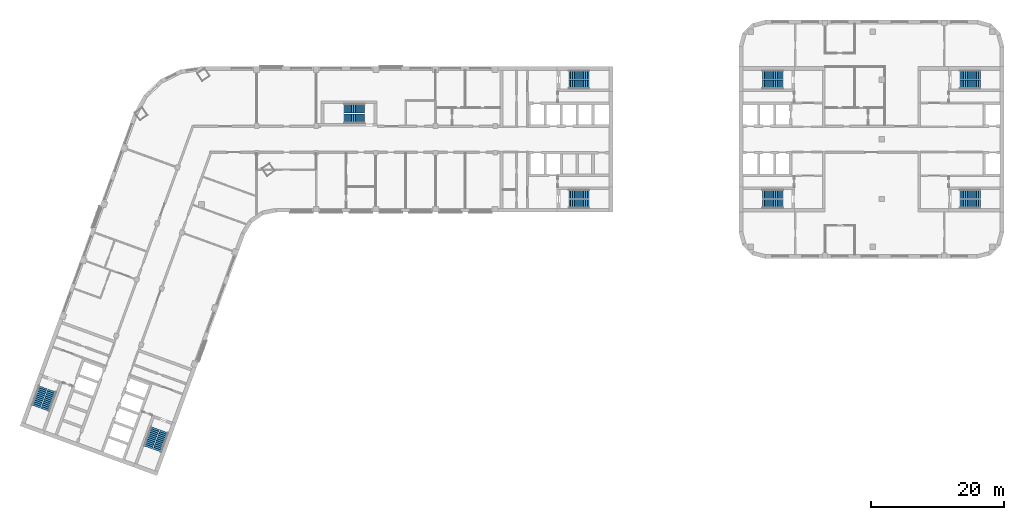
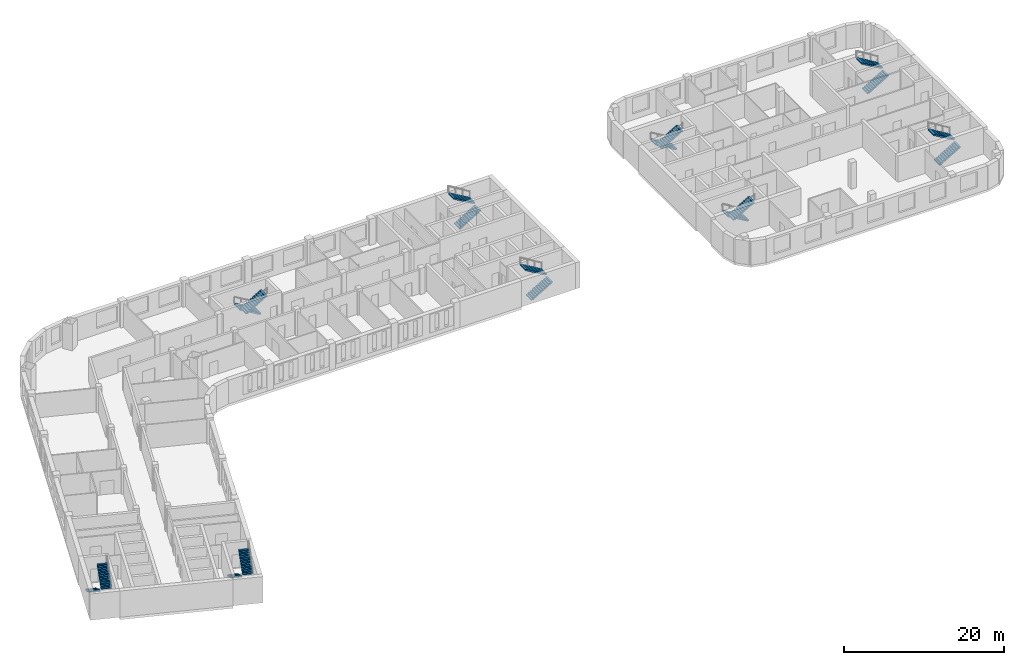
# One storey, part 10 of 12: 18 stair flights, 9 elements without a shape of their own.
"""IFC4 building model written with IfcOpenShell, lengths in metres."""

from ifc_helpers import new_model, si_unit, direction, frame, origin, place, context, subcontext, project, spatial, polyline, outline, extrude, material, type_object, element, aggregate, save


model = new_model("IFC4")

# Units and contexts
model_context = context("Model", 3, precision=1e-05, world=origin(), true_north=direction((0.0, 1.0)))
body_context = subcontext(model_context, "Body", "Model", "MODEL_VIEW")
ifc_project = project(units=[si_unit("LENGTHUNIT", "METRE"), si_unit("AREAUNIT", "SQUARE_METRE"), si_unit("VOLUMEUNIT", "CUBIC_METRE"), si_unit("PLANEANGLEUNIT", "RADIAN"), si_unit("MASSUNIT", "GRAM", prefix="KILO")], contexts=[model_context])

# Site, building, storey
site_placement = place(None, origin())
site = spatial("IfcSite", under=ifc_project, at=site_placement, CompositionType="ELEMENT")
building_placement = place(site_placement, origin())
building = spatial("IfcBuilding", under=site, at=building_placement, Name="Skarvind Civic Tower", CompositionType="ELEMENT")
storey_placement = place(building_placement, frame((0.0, 0.0, 47.5)))
storey = spatial("IfcBuildingStorey", under=building, at=storey_placement, Name="L10", CompositionType="ELEMENT", Elevation=47.5)

# Stair, stair flights
ifc_material = material(Name="Concrete C40/50", Category="concrete")
stair_type_1 = type_object("IfcStairType", Name="Exit stair 1450, half-turn, concrete", PredefinedType="HALF_TURN_STAIR", material=ifc_material)
stair_1_placement = place(storey_placement, origin())
stair_1 = element("IfcStair", 1, at=stair_1_placement, inside=storey, type_object=stair_type_1, Name="Exit stair CM", PredefinedType="HALF_TURN_STAIR")
stair_flight_type_1 = type_object("IfcStairFlightType", Name="Stair flight 1450, concrete", PredefinedType="STRAIGHT", material=ifc_material)
stair_flight_1_placement = place(storey_placement, frame((70.550048828125, 132.675048828125, 0.0), z_axis=(0.0, 0.0, 1.0), x_axis=(-1.0, 0.0, 0.0)))
stair_flight_1 = element("IfcStairFlight", 2, at=stair_flight_1_placement, type_object=stair_flight_type_1, Name="ST-CM flight 1", NumberOfRisers=12, NumberOfTreads=11, PredefinedType="STRAIGHT", RiserHeight=0.166666667, TreadLength=0.28, context=body_context, shape_type="SweptSolid", body=[
    extrude(outline(polyline([(0.0, 0.0), (0.0, 0.166748046875), (0.280029296875, 0.166748046875), (0.280029296875, 0.333251953125), (0.56005859375, 0.333251953125), (0.56005859375, 0.5), (0.840087890625, 0.5), (0.840087890625, 0.666748046875), (1.1201171875, 0.666748046875), (1.1201171875, 0.833251953125), (1.39990234375, 0.833251953125), (1.39990234375, 1.0), (1.679931640625, 1.0), (1.679931640625, 1.166748046875), (1.9599609375, 1.166748046875), (1.9599609375, 1.333251953125), (2.239990234375, 1.333251953125), (2.239990234375, 1.5), (2.52001953125, 1.5), (2.52001953125, 1.666748046875), (2.800048828125, 1.666748046875), (2.800048828125, 1.833251953125), (3.080078125, 1.833251953125), (3.080078125, 2.0), (3.080078125, 1.658935546875), (0.29296875, 0.0), (0.0, 0.0)])), frame((0.0, 0.72509765625, 0.0), z_axis=(0.0, -1.0, 0.0), x_axis=(1.0, 0.0, 0.0)), (0.0, 0.0, 1.0), 1.449951171875),
])
stair_flight_2_placement = place(storey_placement, frame((67.469970703125, 131.125, 2.0), z_axis=(0.0, 0.0, 1.0), x_axis=(1.0, 0.0, 0.0)))
stair_flight_2 = element("IfcStairFlight", 3, at=stair_flight_2_placement, type_object=stair_flight_type_1, Name="ST-CM flight 2", NumberOfRisers=12, NumberOfTreads=11, PredefinedType="STRAIGHT", RiserHeight=0.166666667, TreadLength=0.28, context=body_context, shape_type="SweptSolid", body=[
    extrude(outline(polyline([(0.0, 0.0), (0.0, 0.166748046875), (0.280029296875, 0.166748046875), (0.280029296875, 0.333251953125), (0.56005859375, 0.333251953125), (0.56005859375, 0.5), (0.840087890625, 0.5), (0.840087890625, 0.666748046875), (1.1201171875, 0.666748046875), (1.1201171875, 0.833251953125), (1.39990234375, 0.833251953125), (1.39990234375, 1.0), (1.679931640625, 1.0), (1.679931640625, 1.166748046875), (1.9599609375, 1.166748046875), (1.9599609375, 1.333251953125), (2.239990234375, 1.333251953125), (2.239990234375, 1.5), (2.52001953125, 1.5), (2.52001953125, 1.666748046875), (2.800048828125, 1.666748046875), (2.800048828125, 1.833251953125), (3.080078125, 1.833251953125), (3.080078125, 2.0), (3.080078125, 1.658935546875), (0.29296875, 0.0), (0.0, 0.0)])), frame((0.0, 0.72509765625, 0.0), z_axis=(0.0, -1.0, 0.0), x_axis=(1.0, 0.0, 0.0)), (0.0, 0.0, 1.0), 1.449951171875),
])
aggregate(stair_1, [stair_flight_1, stair_flight_2])

stair_type_2 = type_object("IfcStairType", Name="Exit stair, half-turn, concrete", PredefinedType="HALF_TURN_STAIR", material=ifc_material)
stair_2_placement = place(storey_placement, origin())
stair_2 = element("IfcStair", 4, at=stair_2_placement, inside=storey, type_object=stair_type_2, Name="Exit stair C1S", PredefinedType="HALF_TURN_STAIR")
stair_flight_type_2 = type_object("IfcStairFlightType", Name="Stair flight, concrete", PredefinedType="STRAIGHT", material=ifc_material)
stair_flight_3_placement = place(storey_placement, frame((101.35009765625, 136.27490234375, 0.0), z_axis=(0.0, 0.0, 1.0), x_axis=(1.0, 0.0, 0.0)))
stair_flight_3 = element("IfcStairFlight", 5, at=stair_flight_3_placement, type_object=stair_flight_type_2, Name="ST-C1S flight 1", NumberOfRisers=12, NumberOfTreads=11, PredefinedType="STRAIGHT", RiserHeight=0.166666667, TreadLength=0.28, context=body_context, shape_type="SweptSolid", body=[
    extrude(outline(polyline([(0.0, 0.0), (0.0, 0.166748046875), (0.280029296875, 0.166748046875), (0.280029296875, 0.333251953125), (0.56005859375, 0.333251953125), (0.56005859375, 0.5), (0.840087890625, 0.5), (0.840087890625, 0.666748046875), (1.1201171875, 0.666748046875), (1.1201171875, 0.833251953125), (1.39990234375, 0.833251953125), (1.39990234375, 1.0), (1.679931640625, 1.0), (1.679931640625, 1.166748046875), (1.9599609375, 1.166748046875), (1.9599609375, 1.333251953125), (2.239990234375, 1.333251953125), (2.239990234375, 1.5), (2.52001953125, 1.5), (2.52001953125, 1.666748046875), (2.800048828125, 1.666748046875), (2.800048828125, 1.833251953125), (3.080078125, 1.833251953125), (3.080078125, 2.0), (3.080078125, 1.658935546875), (0.29296875, 0.0), (0.0, 0.0)])), frame((0.0, 0.675048828125, 0.0), z_axis=(0.0, -1.0, 0.0), x_axis=(1.0, 0.0, 0.0)), (0.0, 0.0, 1.0), 1.35009765625),
])
stair_flight_4_placement = place(storey_placement, frame((104.429931640625, 137.72509765625, 2.0), z_axis=(0.0, 0.0, 1.0), x_axis=(-1.0, 0.0, 0.0)))
stair_flight_4 = element("IfcStairFlight", 6, at=stair_flight_4_placement, type_object=stair_flight_type_2, Name="ST-C1S flight 2", NumberOfRisers=12, NumberOfTreads=11, PredefinedType="STRAIGHT", RiserHeight=0.166666667, TreadLength=0.28, context=body_context, shape_type="SweptSolid", body=[
    extrude(outline(polyline([(0.0, 0.0), (0.0, 0.166748046875), (0.280029296875, 0.166748046875), (0.280029296875, 0.333251953125), (0.56005859375, 0.333251953125), (0.56005859375, 0.5), (0.840087890625, 0.5), (0.840087890625, 0.666748046875), (1.1201171875, 0.666748046875), (1.1201171875, 0.833251953125), (1.39990234375, 0.833251953125), (1.39990234375, 1.0), (1.679931640625, 1.0), (1.679931640625, 1.166748046875), (1.9599609375, 1.166748046875), (1.9599609375, 1.333251953125), (2.239990234375, 1.333251953125), (2.239990234375, 1.5), (2.52001953125, 1.5), (2.52001953125, 1.666748046875), (2.800048828125, 1.666748046875), (2.800048828125, 1.833251953125), (3.080078125, 1.833251953125), (3.080078125, 2.0), (3.080078125, 1.658935546875), (0.29296875, 0.0), (0.0, 0.0)])), frame((0.0, 0.675048828125, 0.0), z_axis=(0.0, -1.0, 0.0), x_axis=(1.0, 0.0, 0.0)), (0.0, 0.0, 1.0), 1.35009765625),
])
aggregate(stair_2, [stair_flight_3, stair_flight_4])

stair_3_placement = place(storey_placement, origin())
stair_3 = element("IfcStair", 7, at=stair_3_placement, inside=storey, type_object=stair_type_2, Name="Exit stair C1N", PredefinedType="HALF_TURN_STAIR")
stair_flight_5_placement = place(storey_placement, frame((101.35009765625, 118.27490234375, 0.0), z_axis=(0.0, 0.0, 1.0), x_axis=(1.0, 0.0, 0.0)))
stair_flight_5 = element("IfcStairFlight", 8, at=stair_flight_5_placement, type_object=stair_flight_type_2, Name="ST-C1N flight 1", NumberOfRisers=12, NumberOfTreads=11, PredefinedType="STRAIGHT", RiserHeight=0.166666667, TreadLength=0.28, context=body_context, shape_type="SweptSolid", body=[
    extrude(outline(polyline([(0.0, 0.0), (0.0, 0.166748046875), (0.280029296875, 0.166748046875), (0.280029296875, 0.333251953125), (0.56005859375, 0.333251953125), (0.56005859375, 0.5), (0.840087890625, 0.5), (0.840087890625, 0.666748046875), (1.1201171875, 0.666748046875), (1.1201171875, 0.833251953125), (1.39990234375, 0.833251953125), (1.39990234375, 1.0), (1.679931640625, 1.0), (1.679931640625, 1.166748046875), (1.9599609375, 1.166748046875), (1.9599609375, 1.333251953125), (2.239990234375, 1.333251953125), (2.239990234375, 1.5), (2.52001953125, 1.5), (2.52001953125, 1.666748046875), (2.800048828125, 1.666748046875), (2.800048828125, 1.833251953125), (3.080078125, 1.833251953125), (3.080078125, 2.0), (3.080078125, 1.658935546875), (0.29296875, 0.0), (0.0, 0.0)])), frame((0.0, 0.675048828125, 0.0), z_axis=(0.0, -1.0, 0.0), x_axis=(1.0, 0.0, 0.0)), (0.0, 0.0, 1.0), 1.35009765625),
])
stair_flight_6_placement = place(storey_placement, frame((104.429931640625, 119.72509765625, 2.0), z_axis=(0.0, 0.0, 1.0), x_axis=(-1.0, 0.0, 0.0)))
stair_flight_6 = element("IfcStairFlight", 9, at=stair_flight_6_placement, type_object=stair_flight_type_2, Name="ST-C1N flight 2", NumberOfRisers=12, NumberOfTreads=11, PredefinedType="STRAIGHT", RiserHeight=0.166666667, TreadLength=0.28, context=body_context, shape_type="SweptSolid", body=[
    extrude(outline(polyline([(0.0, 0.0), (0.0, 0.166748046875), (0.280029296875, 0.166748046875), (0.280029296875, 0.333251953125), (0.56005859375, 0.333251953125), (0.56005859375, 0.5), (0.840087890625, 0.5), (0.840087890625, 0.666748046875), (1.1201171875, 0.666748046875), (1.1201171875, 0.833251953125), (1.39990234375, 0.833251953125), (1.39990234375, 1.0), (1.679931640625, 1.0), (1.679931640625, 1.166748046875), (1.9599609375, 1.166748046875), (1.9599609375, 1.333251953125), (2.239990234375, 1.333251953125), (2.239990234375, 1.5), (2.52001953125, 1.5), (2.52001953125, 1.666748046875), (2.800048828125, 1.666748046875), (2.800048828125, 1.833251953125), (3.080078125, 1.833251953125), (3.080078125, 2.0), (3.080078125, 1.658935546875), (0.29296875, 0.0), (0.0, 0.0)])), frame((0.0, 0.675048828125, 0.0), z_axis=(0.0, -1.0, 0.0), x_axis=(1.0, 0.0, 0.0)), (0.0, 0.0, 1.0), 1.35009765625),
])
aggregate(stair_3, [stair_flight_5, stair_flight_6])

stair_4_placement = place(storey_placement, origin())
stair_4 = element("IfcStair", 10, at=stair_4_placement, inside=storey, type_object=stair_type_2, Name="Exit stair C2S", PredefinedType="HALF_TURN_STAIR")
stair_flight_7_placement = place(storey_placement, frame((38.949462890625, 84.43408203125, 0.0), z_axis=(0.0, 0.0, 1.0), x_axis=(-0.342020143326, -0.939692620786, 0.0)))
stair_flight_7 = element("IfcStairFlight", 11, at=stair_flight_7_placement, type_object=stair_flight_type_2, Name="ST-C2S flight 1", NumberOfRisers=12, NumberOfTreads=11, PredefinedType="STRAIGHT", RiserHeight=0.166666667, TreadLength=0.28, context=body_context, shape_type="SweptSolid", body=[
    extrude(outline(polyline([(0.0, 0.0), (0.0, 0.166748046875), (0.280029296875, 0.166748046875), (0.280029296875, 0.333251953125), (0.56005859375, 0.333251953125), (0.56005859375, 0.5), (0.840087890625, 0.5), (0.840087890625, 0.666748046875), (1.1201171875, 0.666748046875), (1.1201171875, 0.833251953125), (1.39990234375, 0.833251953125), (1.39990234375, 1.0), (1.679931640625, 1.0), (1.679931640625, 1.166748046875), (1.9599609375, 1.166748046875), (1.9599609375, 1.333251953125), (2.239990234375, 1.333251953125), (2.239990234375, 1.5), (2.52001953125, 1.5), (2.52001953125, 1.666748046875), (2.800048828125, 1.666748046875), (2.800048828125, 1.833251953125), (3.080078125, 1.833251953125), (3.080078125, 2.0), (3.080078125, 1.658935546875), (0.29296875, 0.0), (0.0, 0.0)])), frame((0.0, 0.675048828125, 0.0), z_axis=(0.0, -1.0, 0.0), x_axis=(1.0, 0.0, 0.0)), (0.0, 0.0, 1.0), 1.35009765625),
])
stair_flight_8_placement = place(storey_placement, frame((39.258544921875, 81.0439453125, 2.0), z_axis=(0.0, 0.0, 1.0), x_axis=(0.342020143326, 0.939692620786, 0.0)))
stair_flight_8 = element("IfcStairFlight", 12, at=stair_flight_8_placement, type_object=stair_flight_type_2, Name="ST-C2S flight 2", NumberOfRisers=12, NumberOfTreads=11, PredefinedType="STRAIGHT", RiserHeight=0.166666667, TreadLength=0.28, context=body_context, shape_type="SweptSolid", body=[
    extrude(outline(polyline([(0.0, 0.0), (0.0, 0.166748046875), (0.280029296875, 0.166748046875), (0.280029296875, 0.333251953125), (0.56005859375, 0.333251953125), (0.56005859375, 0.5), (0.840087890625, 0.5), (0.840087890625, 0.666748046875), (1.1201171875, 0.666748046875), (1.1201171875, 0.833251953125), (1.39990234375, 0.833251953125), (1.39990234375, 1.0), (1.679931640625, 1.0), (1.679931640625, 1.166748046875), (1.9599609375, 1.166748046875), (1.9599609375, 1.333251953125), (2.239990234375, 1.333251953125), (2.239990234375, 1.5), (2.52001953125, 1.5), (2.52001953125, 1.666748046875), (2.800048828125, 1.666748046875), (2.800048828125, 1.833251953125), (3.080078125, 1.833251953125), (3.080078125, 2.0), (3.080078125, 1.658935546875), (0.29296875, 0.0), (0.0, 0.0)])), frame((0.0, 0.675048828125, 0.0), z_axis=(0.0, -1.0, 0.0), x_axis=(1.0, 0.0, 0.0)), (0.0, 0.0, 1.0), 1.35009765625),
])
aggregate(stair_4, [stair_flight_7, stair_flight_8])

stair_5_placement = place(storey_placement, origin())
stair_5 = element("IfcStair", 13, at=stair_5_placement, inside=storey, type_object=stair_type_2, Name="Exit stair C2N", PredefinedType="HALF_TURN_STAIR")
stair_flight_9_placement = place(storey_placement, frame((22.034912109375, 90.590576171875, 0.0), z_axis=(0.0, 0.0, 1.0), x_axis=(-0.342020143326, -0.939692620786, 0.0)))
stair_flight_9 = element("IfcStairFlight", 14, at=stair_flight_9_placement, type_object=stair_flight_type_2, Name="ST-C2N flight 1", NumberOfRisers=12, NumberOfTreads=11, PredefinedType="STRAIGHT", RiserHeight=0.166666667, TreadLength=0.28, context=body_context, shape_type="SweptSolid", body=[
    extrude(outline(polyline([(0.0, 0.0), (0.0, 0.166748046875), (0.280029296875, 0.166748046875), (0.280029296875, 0.333251953125), (0.56005859375, 0.333251953125), (0.56005859375, 0.5), (0.840087890625, 0.5), (0.840087890625, 0.666748046875), (1.1201171875, 0.666748046875), (1.1201171875, 0.833251953125), (1.39990234375, 0.833251953125), (1.39990234375, 1.0), (1.679931640625, 1.0), (1.679931640625, 1.166748046875), (1.9599609375, 1.166748046875), (1.9599609375, 1.333251953125), (2.239990234375, 1.333251953125), (2.239990234375, 1.5), (2.52001953125, 1.5), (2.52001953125, 1.666748046875), (2.800048828125, 1.666748046875), (2.800048828125, 1.833251953125), (3.080078125, 1.833251953125), (3.080078125, 2.0), (3.080078125, 1.658935546875), (0.29296875, 0.0), (0.0, 0.0)])), frame((0.0, 0.675048828125, 0.0), z_axis=(0.0, -1.0, 0.0), x_axis=(1.0, 0.0, 0.0)), (0.0, 0.0, 1.0), 1.35009765625),
])
stair_flight_10_placement = place(storey_placement, frame((22.343994140625, 87.2001953125, 2.0), z_axis=(0.0, 0.0, 1.0), x_axis=(0.342020143326, 0.939692620786, 0.0)))
stair_flight_10 = element("IfcStairFlight", 15, at=stair_flight_10_placement, type_object=stair_flight_type_2, Name="ST-C2N flight 2", NumberOfRisers=12, NumberOfTreads=11, PredefinedType="STRAIGHT", RiserHeight=0.166666667, TreadLength=0.28, context=body_context, shape_type="SweptSolid", body=[
    extrude(outline(polyline([(0.0, 0.0), (0.0, 0.166748046875), (0.280029296875, 0.166748046875), (0.280029296875, 0.333251953125), (0.56005859375, 0.333251953125), (0.56005859375, 0.5), (0.840087890625, 0.5), (0.840087890625, 0.666748046875), (1.1201171875, 0.666748046875), (1.1201171875, 0.833251953125), (1.39990234375, 0.833251953125), (1.39990234375, 1.0), (1.679931640625, 1.0), (1.679931640625, 1.166748046875), (1.9599609375, 1.166748046875), (1.9599609375, 1.333251953125), (2.239990234375, 1.333251953125), (2.239990234375, 1.5), (2.52001953125, 1.5), (2.52001953125, 1.666748046875), (2.800048828125, 1.666748046875), (2.800048828125, 1.833251953125), (3.080078125, 1.833251953125), (3.080078125, 2.0), (3.080078125, 1.658935546875), (0.29296875, 0.0), (0.0, 0.0)])), frame((0.0, 0.675048828125, 0.0), z_axis=(0.0, -1.0, 0.0), x_axis=(1.0, 0.0, 0.0)), (0.0, 0.0, 1.0), 1.35009765625),
])
aggregate(stair_5, [stair_flight_9, stair_flight_10])

stair_6_placement = place(storey_placement, origin())
stair_6 = element("IfcStair", 16, at=stair_6_placement, inside=storey, type_object=stair_type_2, Name="Exit stair CAS", PredefinedType="HALF_TURN_STAIR")
stair_flight_11_placement = place(storey_placement, frame((133.64990234375, 119.72509765625, 0.0), z_axis=(0.0, 0.0, 1.0), x_axis=(-1.0, 0.0, 0.0)))
stair_flight_11 = element("IfcStairFlight", 17, at=stair_flight_11_placement, type_object=stair_flight_type_2, Name="ST-CAS flight 1", NumberOfRisers=12, NumberOfTreads=11, PredefinedType="STRAIGHT", RiserHeight=0.166666667, TreadLength=0.28, context=body_context, shape_type="SweptSolid", body=[
    extrude(outline(polyline([(0.0, 0.0), (0.0, 0.166748046875), (0.280029296875, 0.166748046875), (0.280029296875, 0.333251953125), (0.56005859375, 0.333251953125), (0.56005859375, 0.5), (0.840087890625, 0.5), (0.840087890625, 0.666748046875), (1.1201171875, 0.666748046875), (1.1201171875, 0.833251953125), (1.39990234375, 0.833251953125), (1.39990234375, 1.0), (1.679931640625, 1.0), (1.679931640625, 1.166748046875), (1.9599609375, 1.166748046875), (1.9599609375, 1.333251953125), (2.239990234375, 1.333251953125), (2.239990234375, 1.5), (2.52001953125, 1.5), (2.52001953125, 1.666748046875), (2.800048828125, 1.666748046875), (2.800048828125, 1.833251953125), (3.080078125, 1.833251953125), (3.080078125, 2.0), (3.080078125, 1.658935546875), (0.29296875, 0.0), (0.0, 0.0)])), frame((0.0, 0.675048828125, 0.0), z_axis=(0.0, -1.0, 0.0), x_axis=(1.0, 0.0, 0.0)), (0.0, 0.0, 1.0), 1.35009765625),
])
stair_flight_12_placement = place(storey_placement, frame((130.570068359375, 118.27490234375, 2.0), z_axis=(0.0, 0.0, 1.0), x_axis=(1.0, 0.0, 0.0)))
stair_flight_12 = element("IfcStairFlight", 18, at=stair_flight_12_placement, type_object=stair_flight_type_2, Name="ST-CAS flight 2", NumberOfRisers=12, NumberOfTreads=11, PredefinedType="STRAIGHT", RiserHeight=0.166666667, TreadLength=0.28, context=body_context, shape_type="SweptSolid", body=[
    extrude(outline(polyline([(0.0, 0.0), (0.0, 0.166748046875), (0.280029296875, 0.166748046875), (0.280029296875, 0.333251953125), (0.56005859375, 0.333251953125), (0.56005859375, 0.5), (0.840087890625, 0.5), (0.840087890625, 0.666748046875), (1.1201171875, 0.666748046875), (1.1201171875, 0.833251953125), (1.39990234375, 0.833251953125), (1.39990234375, 1.0), (1.679931640625, 1.0), (1.679931640625, 1.166748046875), (1.9599609375, 1.166748046875), (1.9599609375, 1.333251953125), (2.239990234375, 1.333251953125), (2.239990234375, 1.5), (2.52001953125, 1.5), (2.52001953125, 1.666748046875), (2.800048828125, 1.666748046875), (2.800048828125, 1.833251953125), (3.080078125, 1.833251953125), (3.080078125, 2.0), (3.080078125, 1.658935546875), (0.29296875, 0.0), (0.0, 0.0)])), frame((0.0, 0.675048828125, 0.0), z_axis=(0.0, -1.0, 0.0), x_axis=(1.0, 0.0, 0.0)), (0.0, 0.0, 1.0), 1.35009765625),
])
aggregate(stair_6, [stair_flight_11, stair_flight_12])

stair_7_placement = place(storey_placement, origin())
stair_7 = element("IfcStair", 19, at=stair_7_placement, inside=storey, type_object=stair_type_2, Name="Exit stair CAN", PredefinedType="HALF_TURN_STAIR")
stair_flight_13_placement = place(storey_placement, frame((133.64990234375, 137.72509765625, 0.0), z_axis=(0.0, 0.0, 1.0), x_axis=(-1.0, 0.0, 0.0)))
stair_flight_13 = element("IfcStairFlight", 20, at=stair_flight_13_placement, type_object=stair_flight_type_2, Name="ST-CAN flight 1", NumberOfRisers=12, NumberOfTreads=11, PredefinedType="STRAIGHT", RiserHeight=0.166666667, TreadLength=0.28, context=body_context, shape_type="SweptSolid", body=[
    extrude(outline(polyline([(0.0, 0.0), (0.0, 0.166748046875), (0.280029296875, 0.166748046875), (0.280029296875, 0.333251953125), (0.56005859375, 0.333251953125), (0.56005859375, 0.5), (0.840087890625, 0.5), (0.840087890625, 0.666748046875), (1.1201171875, 0.666748046875), (1.1201171875, 0.833251953125), (1.39990234375, 0.833251953125), (1.39990234375, 1.0), (1.679931640625, 1.0), (1.679931640625, 1.166748046875), (1.9599609375, 1.166748046875), (1.9599609375, 1.333251953125), (2.239990234375, 1.333251953125), (2.239990234375, 1.5), (2.52001953125, 1.5), (2.52001953125, 1.666748046875), (2.800048828125, 1.666748046875), (2.800048828125, 1.833251953125), (3.080078125, 1.833251953125), (3.080078125, 2.0), (3.080078125, 1.658935546875), (0.29296875, 0.0), (0.0, 0.0)])), frame((0.0, 0.675048828125, 0.0), z_axis=(0.0, -1.0, 0.0), x_axis=(1.0, 0.0, 0.0)), (0.0, 0.0, 1.0), 1.35009765625),
])
stair_flight_14_placement = place(storey_placement, frame((130.570068359375, 136.27490234375, 2.0), z_axis=(0.0, 0.0, 1.0), x_axis=(1.0, 0.0, 0.0)))
stair_flight_14 = element("IfcStairFlight", 21, at=stair_flight_14_placement, type_object=stair_flight_type_2, Name="ST-CAN flight 2", NumberOfRisers=12, NumberOfTreads=11, PredefinedType="STRAIGHT", RiserHeight=0.166666667, TreadLength=0.28, context=body_context, shape_type="SweptSolid", body=[
    extrude(outline(polyline([(0.0, 0.0), (0.0, 0.166748046875), (0.280029296875, 0.166748046875), (0.280029296875, 0.333251953125), (0.56005859375, 0.333251953125), (0.56005859375, 0.5), (0.840087890625, 0.5), (0.840087890625, 0.666748046875), (1.1201171875, 0.666748046875), (1.1201171875, 0.833251953125), (1.39990234375, 0.833251953125), (1.39990234375, 1.0), (1.679931640625, 1.0), (1.679931640625, 1.166748046875), (1.9599609375, 1.166748046875), (1.9599609375, 1.333251953125), (2.239990234375, 1.333251953125), (2.239990234375, 1.5), (2.52001953125, 1.5), (2.52001953125, 1.666748046875), (2.800048828125, 1.666748046875), (2.800048828125, 1.833251953125), (3.080078125, 1.833251953125), (3.080078125, 2.0), (3.080078125, 1.658935546875), (0.29296875, 0.0), (0.0, 0.0)])), frame((0.0, 0.675048828125, 0.0), z_axis=(0.0, -1.0, 0.0), x_axis=(1.0, 0.0, 0.0)), (0.0, 0.0, 1.0), 1.35009765625),
])
aggregate(stair_7, [stair_flight_13, stair_flight_14])

stair_8_placement = place(storey_placement, origin())
stair_8 = element("IfcStair", 22, at=stair_8_placement, inside=storey, type_object=stair_type_2, Name="Exit stair CBS", PredefinedType="HALF_TURN_STAIR")
stair_flight_15_placement = place(storey_placement, frame((160.35009765625, 136.27490234375, 0.0), z_axis=(0.0, 0.0, 1.0), x_axis=(1.0, 0.0, 0.0)))
stair_flight_15 = element("IfcStairFlight", 23, at=stair_flight_15_placement, type_object=stair_flight_type_2, Name="ST-CBS flight 1", NumberOfRisers=12, NumberOfTreads=11, PredefinedType="STRAIGHT", RiserHeight=0.166666667, TreadLength=0.28, context=body_context, shape_type="SweptSolid", body=[
    extrude(outline(polyline([(0.0, 0.0), (0.0, 0.166748046875), (0.280029296875, 0.166748046875), (0.280029296875, 0.333251953125), (0.56005859375, 0.333251953125), (0.56005859375, 0.5), (0.840087890625, 0.5), (0.840087890625, 0.666748046875), (1.1201171875, 0.666748046875), (1.1201171875, 0.833251953125), (1.39990234375, 0.833251953125), (1.39990234375, 1.0), (1.679931640625, 1.0), (1.679931640625, 1.166748046875), (1.9599609375, 1.166748046875), (1.9599609375, 1.333251953125), (2.239990234375, 1.333251953125), (2.239990234375, 1.5), (2.52001953125, 1.5), (2.52001953125, 1.666748046875), (2.800048828125, 1.666748046875), (2.800048828125, 1.833251953125), (3.080078125, 1.833251953125), (3.080078125, 2.0), (3.080078125, 1.658935546875), (0.29296875, 0.0), (0.0, 0.0)])), frame((0.0, 0.675048828125, 0.0), z_axis=(0.0, -1.0, 0.0), x_axis=(1.0, 0.0, 0.0)), (0.0, 0.0, 1.0), 1.35009765625),
])
stair_flight_16_placement = place(storey_placement, frame((163.429931640625, 137.72509765625, 2.0), z_axis=(0.0, 0.0, 1.0), x_axis=(-1.0, 0.0, 0.0)))
stair_flight_16 = element("IfcStairFlight", 24, at=stair_flight_16_placement, type_object=stair_flight_type_2, Name="ST-CBS flight 2", NumberOfRisers=12, NumberOfTreads=11, PredefinedType="STRAIGHT", RiserHeight=0.166666667, TreadLength=0.28, context=body_context, shape_type="SweptSolid", body=[
    extrude(outline(polyline([(0.0, 0.0), (0.0, 0.166748046875), (0.280029296875, 0.166748046875), (0.280029296875, 0.333251953125), (0.56005859375, 0.333251953125), (0.56005859375, 0.5), (0.840087890625, 0.5), (0.840087890625, 0.666748046875), (1.1201171875, 0.666748046875), (1.1201171875, 0.833251953125), (1.39990234375, 0.833251953125), (1.39990234375, 1.0), (1.679931640625, 1.0), (1.679931640625, 1.166748046875), (1.9599609375, 1.166748046875), (1.9599609375, 1.333251953125), (2.239990234375, 1.333251953125), (2.239990234375, 1.5), (2.52001953125, 1.5), (2.52001953125, 1.666748046875), (2.800048828125, 1.666748046875), (2.800048828125, 1.833251953125), (3.080078125, 1.833251953125), (3.080078125, 2.0), (3.080078125, 1.658935546875), (0.29296875, 0.0), (0.0, 0.0)])), frame((0.0, 0.675048828125, 0.0), z_axis=(0.0, -1.0, 0.0), x_axis=(1.0, 0.0, 0.0)), (0.0, 0.0, 1.0), 1.35009765625),
])
aggregate(stair_8, [stair_flight_15, stair_flight_16])

stair_9_placement = place(storey_placement, origin())
stair_9 = element("IfcStair", 25, at=stair_9_placement, inside=storey, type_object=stair_type_2, Name="Exit stair CBN", PredefinedType="HALF_TURN_STAIR")
stair_flight_17_placement = place(storey_placement, frame((160.35009765625, 118.27490234375, 0.0), z_axis=(0.0, 0.0, 1.0), x_axis=(1.0, 0.0, 0.0)))
stair_flight_17 = element("IfcStairFlight", 26, at=stair_flight_17_placement, type_object=stair_flight_type_2, Name="ST-CBN flight 1", NumberOfRisers=12, NumberOfTreads=11, PredefinedType="STRAIGHT", RiserHeight=0.166666667, TreadLength=0.28, context=body_context, shape_type="SweptSolid", body=[
    extrude(outline(polyline([(0.0, 0.0), (0.0, 0.166748046875), (0.280029296875, 0.166748046875), (0.280029296875, 0.333251953125), (0.56005859375, 0.333251953125), (0.56005859375, 0.5), (0.840087890625, 0.5), (0.840087890625, 0.666748046875), (1.1201171875, 0.666748046875), (1.1201171875, 0.833251953125), (1.39990234375, 0.833251953125), (1.39990234375, 1.0), (1.679931640625, 1.0), (1.679931640625, 1.166748046875), (1.9599609375, 1.166748046875), (1.9599609375, 1.333251953125), (2.239990234375, 1.333251953125), (2.239990234375, 1.5), (2.52001953125, 1.5), (2.52001953125, 1.666748046875), (2.800048828125, 1.666748046875), (2.800048828125, 1.833251953125), (3.080078125, 1.833251953125), (3.080078125, 2.0), (3.080078125, 1.658935546875), (0.29296875, 0.0), (0.0, 0.0)])), frame((0.0, 0.675048828125, 0.0), z_axis=(0.0, -1.0, 0.0), x_axis=(1.0, 0.0, 0.0)), (0.0, 0.0, 1.0), 1.35009765625),
])
stair_flight_18_placement = place(storey_placement, frame((163.429931640625, 119.72509765625, 2.0), z_axis=(0.0, 0.0, 1.0), x_axis=(-1.0, 0.0, 0.0)))
stair_flight_18 = element("IfcStairFlight", 27, at=stair_flight_18_placement, type_object=stair_flight_type_2, Name="ST-CBN flight 2", NumberOfRisers=12, NumberOfTreads=11, PredefinedType="STRAIGHT", RiserHeight=0.166666667, TreadLength=0.28, context=body_context, shape_type="SweptSolid", body=[
    extrude(outline(polyline([(0.0, 0.0), (0.0, 0.166748046875), (0.280029296875, 0.166748046875), (0.280029296875, 0.333251953125), (0.56005859375, 0.333251953125), (0.56005859375, 0.5), (0.840087890625, 0.5), (0.840087890625, 0.666748046875), (1.1201171875, 0.666748046875), (1.1201171875, 0.833251953125), (1.39990234375, 0.833251953125), (1.39990234375, 1.0), (1.679931640625, 1.0), (1.679931640625, 1.166748046875), (1.9599609375, 1.166748046875), (1.9599609375, 1.333251953125), (2.239990234375, 1.333251953125), (2.239990234375, 1.5), (2.52001953125, 1.5), (2.52001953125, 1.666748046875), (2.800048828125, 1.666748046875), (2.800048828125, 1.833251953125), (3.080078125, 1.833251953125), (3.080078125, 2.0), (3.080078125, 1.658935546875), (0.29296875, 0.0), (0.0, 0.0)])), frame((0.0, 0.675048828125, 0.0), z_axis=(0.0, -1.0, 0.0), x_axis=(1.0, 0.0, 0.0)), (0.0, 0.0, 1.0), 1.35009765625),
])
aggregate(stair_9, [stair_flight_17, stair_flight_18])

save(model, "model.ifc")
